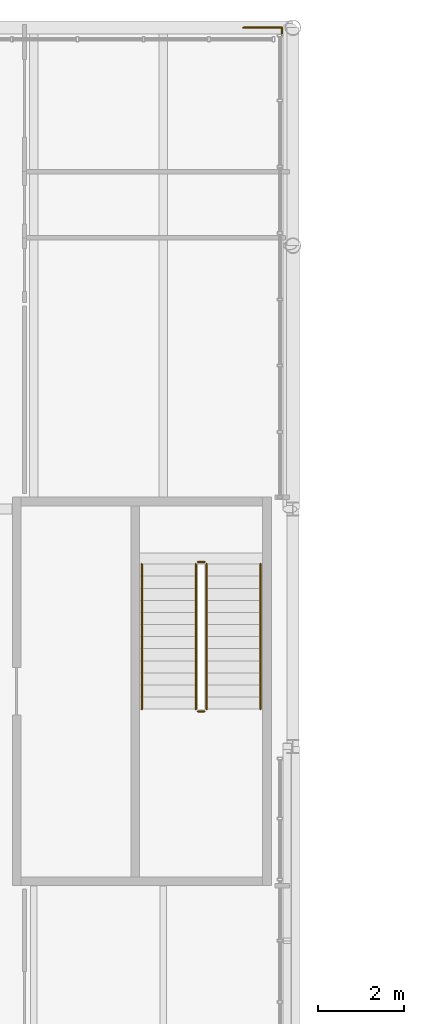
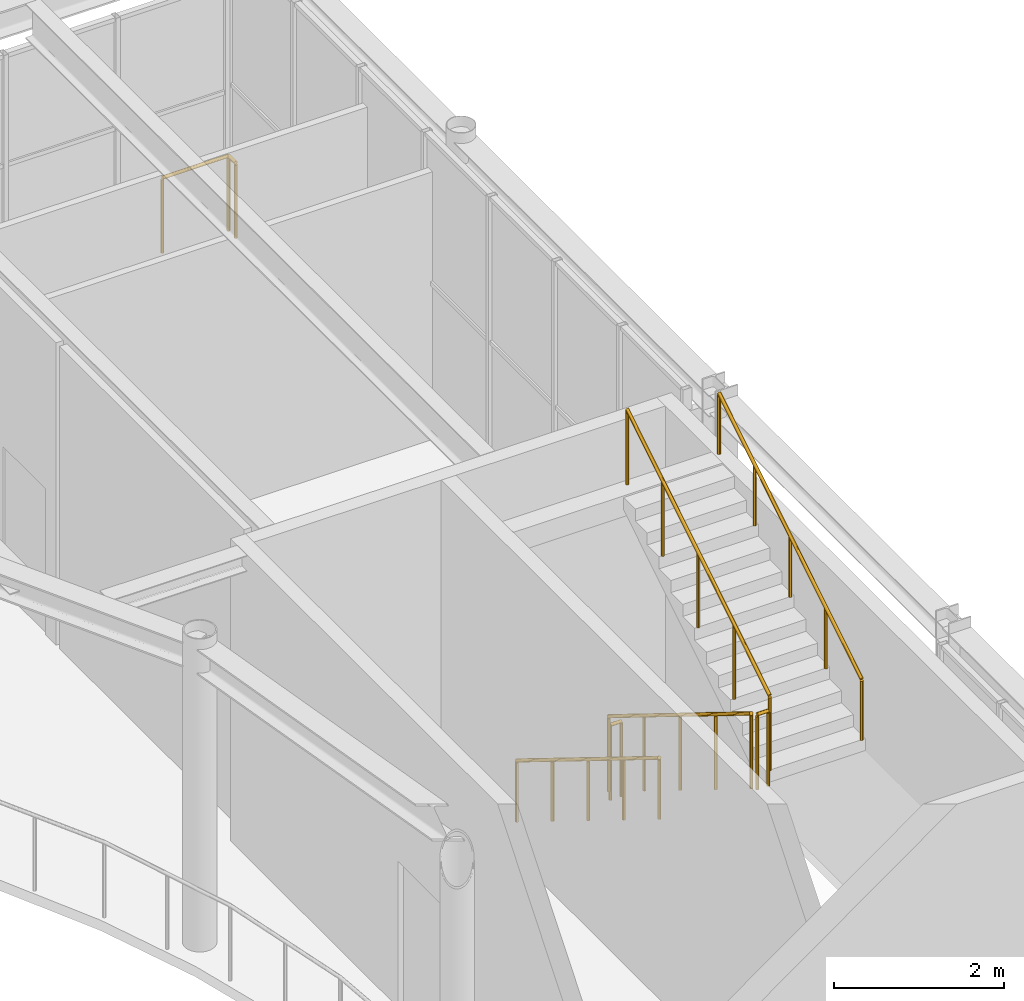
# One storey, part 105 of 111: 7 railings.
"""IFC4 building model written with IfcOpenShell, lengths in metres."""

from ifc_helpers import new_model, si_unit, direction, frame, origin, origin_2d, place, context, subcontext, project, spatial, circle, extrude, material, type_object, element, save


model = new_model("IFC4")

# Units and contexts
model_context = context("Model", 3, precision=1e-05, world=origin(), true_north=direction((0.0, 1.0)))
body_context = subcontext(model_context, "Body", "Model", "MODEL_VIEW")
ifc_project = project(units=[si_unit("LENGTHUNIT", "METRE"), si_unit("AREAUNIT", "SQUARE_METRE"), si_unit("VOLUMEUNIT", "CUBIC_METRE"), si_unit("PLANEANGLEUNIT", "RADIAN"), si_unit("MASSUNIT", "GRAM", prefix="KILO")], contexts=[model_context])

# Site, building, storey
site_placement = place(None, origin())
site = spatial("IfcSite", under=ifc_project, at=site_placement, CompositionType="ELEMENT")
building_placement = place(site_placement, origin())
building = spatial("IfcBuilding", under=site, at=building_placement, Name="Kallimachos Central Library", CompositionType="ELEMENT")
storey_placement = place(building_placement, frame((0.0, 0.0, 14.39990234375)))
storey = spatial("IfcBuildingStorey", under=building, at=storey_placement, Name="L03", CompositionType="ELEMENT", Elevation=14.39990234375)

# Railings
ifc_material_1 = material(Name="Wrought iron")
railing_type_1 = type_object("IfcRailingType", Name="Wrought-iron handrail 900", PredefinedType="HANDRAIL", material=ifc_material_1)
railing_1_placement = place(storey_placement, frame((107.0, 109.22509765625, 0.173095703125)))
element("IfcRailing", 1, at=railing_1_placement, inside=storey, type_object=railing_type_1, Name="L03 ST4 stair handrail 1", PredefinedType="HANDRAIL", context=body_context, shape_type="SweptSolid", body=[
    extrude(circle(Radius=0.02392578125, at=origin_2d()), frame((0.0, 0.0, 0.8759765625), z_axis=(0.0, -0.850623216509, 0.525775754039), x_axis=(1.0, 0.0, 0.0)), (0.0, 0.0, 1.0), 3.9501953125),
    extrude(circle(Radius=0.02099609375, at=origin_2d()), origin(), (0.0, 0.0, 1.0), 0.851806640625),
    extrude(circle(Radius=0.02099609375, at=origin_2d()), frame((0.0, -0.840087890625, 0.519287109375)), (0.0, 0.0, 1.0), 0.851806640625),
    extrude(circle(Radius=0.02099609375, at=origin_2d()), frame((0.0, -1.68017578125, 1.03857421875)), (0.0, 0.0, 1.0), 0.851806640625),
    extrude(circle(Radius=0.02099609375, at=origin_2d()), frame((0.0, -2.52001953125, 1.5576171875)), (0.0, 0.0, 1.0), 0.851806640625),
    extrude(circle(Radius=0.02099609375, at=origin_2d()), frame((0.0, -3.360107421875, 2.076904296875)), (0.0, 0.0, 1.0), 0.851806640625),
])
railing_2_placement = place(storey_placement, frame((109.75, 105.864990234375, 2.423095703125)))
element("IfcRailing", 2, at=railing_2_placement, inside=storey, type_object=railing_type_1, Name="L03 ST4 stair handrail 2", PredefinedType="HANDRAIL", context=body_context, shape_type="SweptSolid", body=[
    extrude(circle(Radius=0.02392578125, at=origin_2d()), frame((0.0, 0.0, 0.8759765625), z_axis=(0.0, 0.850623216509, 0.525775754039), x_axis=(-1.0, 0.0, 0.0)), (0.0, 0.0, 1.0), 3.9501953125),
    extrude(circle(Radius=0.02099609375, at=origin_2d()), origin(), (0.0, 0.0, 1.0), 0.851806640625),
    extrude(circle(Radius=0.02099609375, at=origin_2d()), frame((0.0, 0.840087890625, 0.519287109375)), (0.0, 0.0, 1.0), 0.851806640625),
    extrude(circle(Radius=0.02099609375, at=origin_2d()), frame((0.0, 1.68017578125, 1.03857421875)), (0.0, 0.0, 1.0), 0.851806640625),
    extrude(circle(Radius=0.02099609375, at=origin_2d()), frame((0.0, 2.52001953125, 1.5576171875)), (0.0, 0.0, 1.0), 0.851806640625),
    extrude(circle(Radius=0.02099609375, at=origin_2d()), frame((0.0, 3.360107421875, 2.076904296875)), (0.0, 0.0, 1.0), 0.851806640625),
])
ifc_material_2 = material(Name="Wrought iron")
railing_type_2 = type_object("IfcRailingType", Name="Wrought-iron stair guard 1100", PredefinedType="GUARDRAIL", material=ifc_material_2)
railing_3_placement = place(storey_placement, frame((108.25, 109.22509765625, 0.173095703125)))
element("IfcRailing", 3, at=railing_3_placement, inside=storey, type_object=railing_type_2, Name="L03 ST4 stair guard 1", PredefinedType="GUARDRAIL", context=body_context, shape_type="SweptSolid", body=[
    extrude(circle(Radius=0.02392578125, at=origin_2d()), frame((0.0, 0.0, 1.076171875), z_axis=(0.0, -0.850623216509, 0.525775754039), x_axis=(1.0, 0.0, 0.0)), (0.0, 0.0, 1.0), 3.9501953125),
    extrude(circle(Radius=0.02099609375, at=origin_2d()), origin(), (0.0, 0.0, 1.0), 1.052001953125),
    extrude(circle(Radius=0.02099609375, at=origin_2d()), frame((0.0, -0.840087890625, 0.519287109375)), (0.0, 0.0, 1.0), 1.052001953125),
    extrude(circle(Radius=0.02099609375, at=origin_2d()), frame((0.0, -1.68017578125, 1.03857421875)), (0.0, 0.0, 1.0), 1.052001953125),
    extrude(circle(Radius=0.02099609375, at=origin_2d()), frame((0.0, -2.52001953125, 1.5576171875)), (0.0, 0.0, 1.0), 1.052001953125),
    extrude(circle(Radius=0.02099609375, at=origin_2d()), frame((0.0, -3.360107421875, 2.076904296875)), (0.0, 0.0, 1.0), 1.052001953125),
])
railing_4_placement = place(storey_placement, frame((108.300048828125, 105.81494140625, 2.25)))
element("IfcRailing", 4, at=railing_4_placement, inside=storey, type_object=railing_type_2, Name="L03 ST4 stair guard 2", PredefinedType="GUARDRAIL", context=body_context, shape_type="SweptSolid", body=[
    extrude(circle(Radius=0.02392578125, at=origin_2d()), frame((0.0, 0.0, 1.076171875), z_axis=(1.0, 0.0, 0.0), x_axis=(0.0, 1.0, 0.0)), (0.0, 0.0, 1.0), 0.14990234375),
    extrude(circle(Radius=0.02099609375, at=origin_2d()), origin(), (0.0, 0.0, 1.0), 1.052001953125),
    extrude(circle(Radius=0.02099609375, at=origin_2d()), frame((0.14990234375, 0.0, 0.0)), (0.0, 0.0, 1.0), 1.052001953125),
])
railing_5_placement = place(storey_placement, frame((108.5, 105.864990234375, 2.423095703125)))
element("IfcRailing", 5, at=railing_5_placement, inside=storey, type_object=railing_type_2, Name="L03 ST4 stair guard 3", PredefinedType="GUARDRAIL", context=body_context, shape_type="SweptSolid", body=[
    extrude(circle(Radius=0.02392578125, at=origin_2d()), frame((0.0, 0.0, 1.076171875), z_axis=(0.0, 0.850623216509, 0.525775754039), x_axis=(-1.0, 0.0, 0.0)), (0.0, 0.0, 1.0), 3.9501953125),
    extrude(circle(Radius=0.02099609375, at=origin_2d()), origin(), (0.0, 0.0, 1.0), 1.052001953125),
    extrude(circle(Radius=0.02099609375, at=origin_2d()), frame((0.0, 0.840087890625, 0.519287109375)), (0.0, 0.0, 1.0), 1.052001953125),
    extrude(circle(Radius=0.02099609375, at=origin_2d()), frame((0.0, 1.68017578125, 1.03857421875)), (0.0, 0.0, 1.0), 1.052001953125),
    extrude(circle(Radius=0.02099609375, at=origin_2d()), frame((0.0, 2.52001953125, 1.5576171875)), (0.0, 0.0, 1.0), 1.052001953125),
    extrude(circle(Radius=0.02099609375, at=origin_2d()), frame((0.0, 3.360107421875, 2.076904296875)), (0.0, 0.0, 1.0), 1.052001953125),
])
railing_6_placement = place(storey_placement, frame((108.300048828125, 109.27490234375, 0.0)))
element("IfcRailing", 6, at=railing_6_placement, inside=storey, type_object=railing_type_2, Name="L03 ST4 stair guard 4", PredefinedType="GUARDRAIL", context=body_context, shape_type="SweptSolid", body=[
    extrude(circle(Radius=0.02392578125, at=origin_2d()), frame((0.0, 0.0, 1.076171875), z_axis=(1.0, 0.0, 0.0), x_axis=(0.0, 1.0, 0.0)), (0.0, 0.0, 1.0), 0.14990234375),
    extrude(circle(Radius=0.02099609375, at=origin_2d()), origin(), (0.0, 0.0, 1.0), 1.052001953125),
    extrude(circle(Radius=0.02099609375, at=origin_2d()), frame((0.14990234375, 0.0, 0.0)), (0.0, 0.0, 1.0), 1.052001953125),
])
ifc_material_3 = material(Name="Wrought iron")
railing_type_3 = type_object("IfcRailingType", Name="Wrought-iron style guard", PredefinedType="GUARDRAIL", material=ifc_material_3)
railing_7_placement = place(storey_placement, frame((110.25, 121.47998046875, 0.0)))
element("IfcRailing", 7, at=railing_7_placement, inside=storey, type_object=railing_type_3, Name="Corner ledge guard", PredefinedType="GUARDRAIL", context=body_context, shape_type="SweptSolid", body=[
    extrude(circle(Radius=0.02392578125, at=origin_2d()), frame((0.0, 0.0, 1.076171875), z_axis=(0.0, 1.0, 0.0), x_axis=(-1.0, 0.0, 0.0)), (0.0, 0.0, 1.0), 0.169921875),
    extrude(circle(Radius=0.02392578125, at=origin_2d()), frame((0.0, 0.169921875, 1.076171875), z_axis=(-1.0, 0.0, 0.0), x_axis=(0.0, -1.0, 0.0)), (0.0, 0.0, 1.0), 0.89990234375),
    extrude(circle(Radius=0.02099609375, at=origin_2d()), origin(), (0.0, 0.0, 1.0), 1.052001953125),
    extrude(circle(Radius=0.02099609375, at=origin_2d()), frame((0.0, 0.169921875, 0.0)), (0.0, 0.0, 1.0), 1.052001953125),
    extrude(circle(Radius=0.02099609375, at=origin_2d()), frame((-0.89990234375, 0.169921875, 0.0)), (0.0, 0.0, 1.0), 1.052001953125),
])

save(model, "model.ifc")
